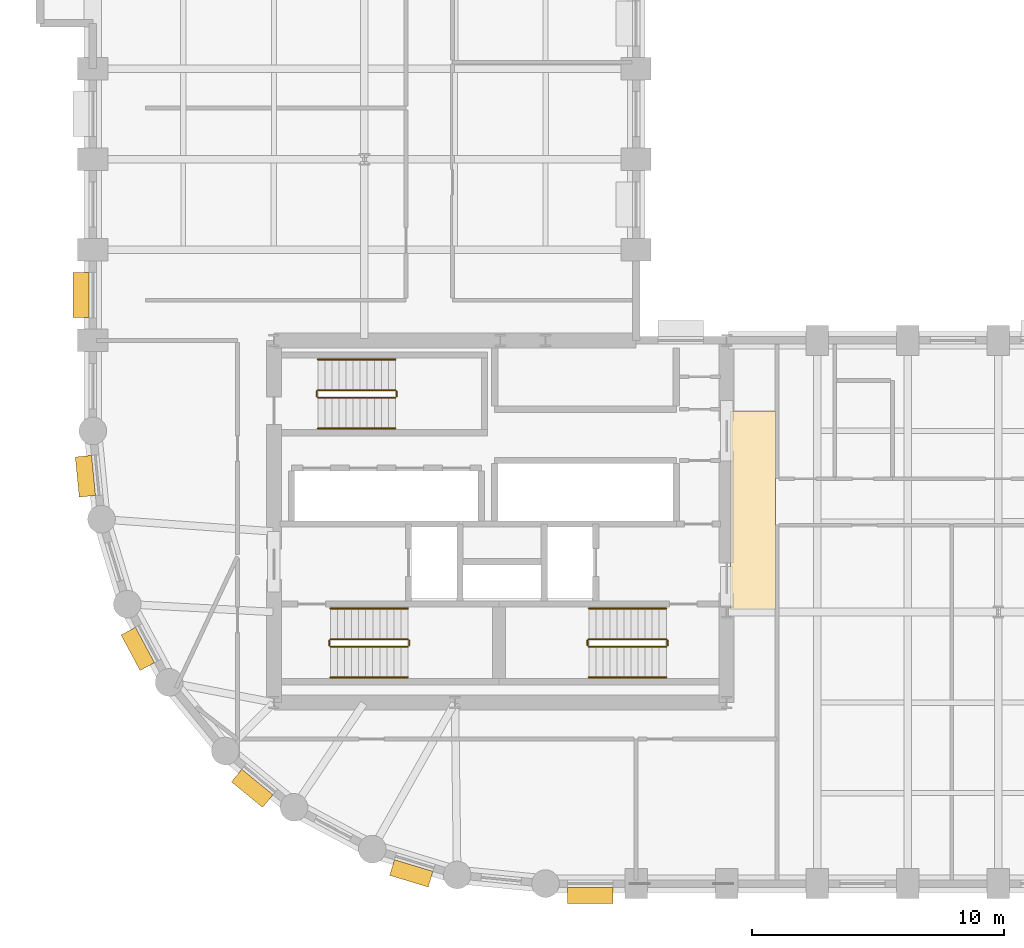
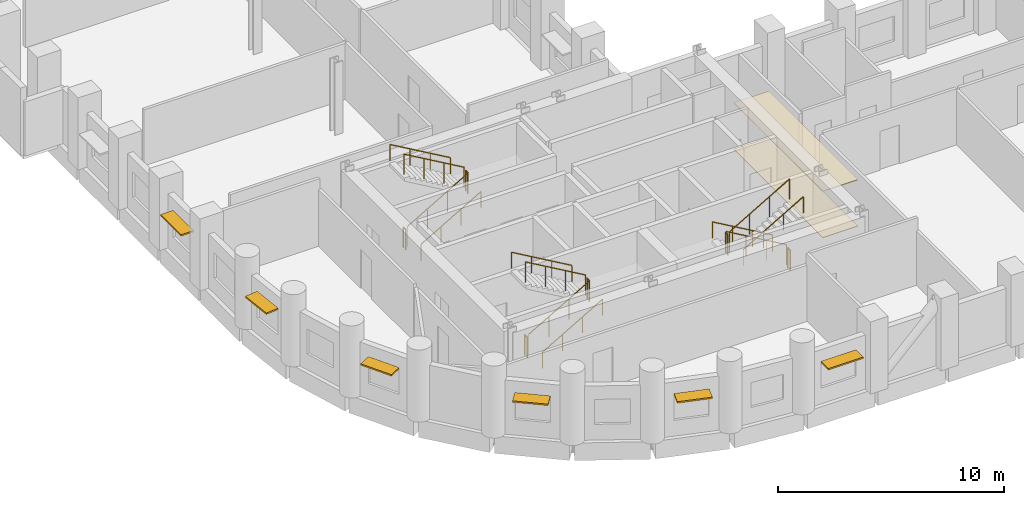
# One storey, part 10 of 11: 18 railings, 6 shading devices, 2 coverings.
"""IFC4 building model written with IfcOpenShell, lengths in metres."""

from ifc_helpers import new_model, si_unit, direction, frame, origin, origin_2d, place, context, subcontext, project, spatial, polyline, rectangle, circle, outline, extrude, material, layer, layer_set, type_object, element, save


model = new_model("IFC4")

# Units and contexts
model_context = context("Model", 3, precision=1e-05, world=origin(), true_north=direction((0.0, 1.0)))
body_context = subcontext(model_context, "Body", "Model", "MODEL_VIEW")
ifc_project = project(units=[si_unit("LENGTHUNIT", "METRE"), si_unit("AREAUNIT", "SQUARE_METRE"), si_unit("VOLUMEUNIT", "CUBIC_METRE"), si_unit("PLANEANGLEUNIT", "RADIAN"), si_unit("MASSUNIT", "GRAM", prefix="KILO")], contexts=[model_context])

# Site, building, storey
site_placement = place(None, origin())
site = spatial("IfcSite", under=ifc_project, at=site_placement, CompositionType="ELEMENT")
building_placement = place(site_placement, origin())
building = spatial("IfcBuilding", under=site, at=building_placement, Name="Solnavia Interchange Tower", CompositionType="ELEMENT")
storey_placement = place(building_placement, frame((0.0, 0.0, 47.39990234375)))
storey = spatial("IfcBuildingStorey", under=building, at=storey_placement, Name="L11", CompositionType="ELEMENT", Elevation=47.39990234375)

# Coverings
ifc_material_1 = material(Name="Perforated Mineral-Fibre & Gypsum Ceiling", Category="gypsum")
ifc_layer_1 = layer(ifc_material_1, 0.0400390625)
ifc_layer_set_1 = layer_set([ifc_layer_1], Name="Perforated Mineral-Fibre & Gypsum Ceiling")
covering_type_1 = type_object("IfcCoveringType", Name="Covering-Ceiling-Acoustic40", PredefinedType="CEILING", material=ifc_layer_set_1)
covering_1_placement = place(storey_placement, frame((0.0, 0.0, 2.5)))
element("IfcCovering", 1, at=covering_1_placement, inside=storey, type_object=covering_type_1, Name="CLG-L11-01 Circulation suspended acoustic ceiling", PredefinedType="CEILING", context=body_context, shape_type="SweptSolid", body=[
    extrude(outline(polyline([(32.550048828125, 14.5), (34.35009765625, 14.5), (34.35009765625, 22.39990234375), (32.550048828125, 22.39990234375), (32.550048828125, 14.5)])), origin(), (0.0, 0.0, 1.0), 0.0400390625),
])
ifc_material_2 = material(Name="Polished Alicante Stone Terrazzo", Category="masonry")
ifc_layer_2 = layer(ifc_material_2, 0.02490234375)
ifc_layer_set_2 = layer_set([ifc_layer_2], Name="Polished Alicante Stone Terrazzo")
covering_type_2 = type_object("IfcCoveringType", Name="Covering-Flooring-Terrazzo25", PredefinedType="FLOORING", material=ifc_layer_set_2)
covering_2_placement = place(storey_placement, origin())
element("IfcCovering", 2, at=covering_2_placement, inside=storey, type_object=covering_type_2, Name="FLR-L11-01 Circulation floor finish", PredefinedType="FLOORING", context=body_context, shape_type="SweptSolid", body=[
    extrude(outline(polyline([(32.550048828125, 14.5), (34.35009765625, 14.5), (34.35009765625, 22.39990234375), (32.550048828125, 22.39990234375), (32.550048828125, 14.5)])), origin(), (0.0, 0.0, 1.0), 0.025146484375),
])

# Railings
ifc_material_3 = material(Name="Painted Steel Balustrade", Category="steel")
railing_type_1 = type_object("IfcRailingType", Name="Railing-StairGuard-1100", PredefinedType="GUARDRAIL", material=ifc_material_3)
railing_1_placement = place(storey_placement, frame((16.64990234375, 13.02001953125, 0.16259765625)))
element("IfcRailing", 3, at=railing_1_placement, inside=storey, type_object=railing_type_1, Name="L11 ST-1 stair guard 1", PredefinedType="GUARDRAIL", context=body_context, shape_type="SweptSolid", body=[
    extrude(circle(Radius=0.02392578125, at=origin_2d()), frame((0.0, 0.0, 1.09619140625), z_axis=(0.864890721111, 0.0, 0.501960198159), x_axis=(0.0, 1.0, 0.0)), (0.0, 0.0, 1.0), 3.561279296875),
    extrude(circle(Radius=0.02099609375, at=origin_2d()), origin(), (0.0, 0.0, 1.0), 1.072021484375),
    extrude(circle(Radius=0.02099609375, at=origin_2d()), frame((1.026611328125, 0.0, 0.595947265625)), (0.0, 0.0, 1.0), 1.072021484375),
    extrude(circle(Radius=0.02099609375, at=origin_2d()), frame((2.053466796875, 0.0, 1.191650390625)), (0.0, 0.0, 1.0), 1.072021484375),
    extrude(circle(Radius=0.02099609375, at=origin_2d()), frame((3.080078125, 0.0, 1.78759765625)), (0.0, 0.0, 1.0), 1.072021484375),
])
railing_2_placement = place(storey_placement, frame((19.780029296875, 13.070068359375, 1.9501953125)))
element("IfcRailing", 4, at=railing_2_placement, inside=storey, type_object=railing_type_1, Name="L11 ST-1 stair guard 2", PredefinedType="GUARDRAIL", context=body_context, shape_type="SweptSolid", body=[
    extrude(circle(Radius=0.02392578125, at=origin_2d()), frame((0.0, 0.0, 1.09619140625), z_axis=(0.0, 1.0, 0.0), x_axis=(-1.0, 0.0, 0.0)), (0.0, 0.0, 1.0), 0.199951171875),
    extrude(circle(Radius=0.02099609375, at=origin_2d()), origin(), (0.0, 0.0, 1.0), 1.072021484375),
    extrude(circle(Radius=0.02099609375, at=origin_2d()), frame((0.0, 0.199951171875, 0.0)), (0.0, 0.0, 1.0), 1.072021484375),
])
railing_3_placement = place(storey_placement, frame((19.72998046875, 13.320068359375, 2.112548828125)))
element("IfcRailing", 5, at=railing_3_placement, inside=storey, type_object=railing_type_1, Name="L11 ST-1 stair guard 3", PredefinedType="GUARDRAIL", context=body_context, shape_type="SweptSolid", body=[
    extrude(circle(Radius=0.02392578125, at=origin_2d()), frame((0.0, 0.0, 1.09619140625), z_axis=(-0.864890721111, 0.0, 0.501960198159), x_axis=(0.0, -1.0, 0.0)), (0.0, 0.0, 1.0), 3.561279296875),
    extrude(circle(Radius=0.02099609375, at=origin_2d()), origin(), (0.0, 0.0, 1.0), 1.072021484375),
    extrude(circle(Radius=0.02099609375, at=origin_2d()), frame((-1.026611328125, 0.0, 0.595947265625)), (0.0, 0.0, 1.0), 1.072021484375),
    extrude(circle(Radius=0.02099609375, at=origin_2d()), frame((-2.053466796875, 0.0, 1.191650390625)), (0.0, 0.0, 1.0), 1.072021484375),
    extrude(circle(Radius=0.02099609375, at=origin_2d()), frame((-3.080078125, 0.0, 1.78759765625)), (0.0, 0.0, 1.0), 1.072021484375),
])
railing_4_placement = place(storey_placement, frame((16.60009765625, 13.070068359375, 0.0)))
element("IfcRailing", 6, at=railing_4_placement, inside=storey, type_object=railing_type_1, Name="L11 ST-1 stair guard 4", PredefinedType="GUARDRAIL", context=body_context, shape_type="SweptSolid", body=[
    extrude(circle(Radius=0.02392578125, at=origin_2d()), frame((0.0, 0.0, 1.09619140625), z_axis=(0.0, 1.0, 0.0), x_axis=(-1.0, 0.0, 0.0)), (0.0, 0.0, 1.0), 0.199951171875),
    extrude(circle(Radius=0.02099609375, at=origin_2d()), origin(), (0.0, 0.0, 1.0), 1.072021484375),
    extrude(circle(Radius=0.02099609375, at=origin_2d()), frame((0.0, 0.199951171875, 0.0)), (0.0, 0.0, 1.0), 1.072021484375),
])
railing_5_placement = place(storey_placement, frame((30.0, 13.320068359375, 0.16259765625)))
element("IfcRailing", 7, at=railing_5_placement, inside=storey, type_object=railing_type_1, Name="L11 ST-2 stair guard 1", PredefinedType="GUARDRAIL", context=body_context, shape_type="SweptSolid", body=[
    extrude(circle(Radius=0.02392578125, at=origin_2d()), frame((0.0, 0.0, 1.09619140625), z_axis=(-0.864890721111, 0.0, 0.501960198159), x_axis=(0.0, -1.0, 0.0)), (0.0, 0.0, 1.0), 3.561279296875),
    extrude(circle(Radius=0.02099609375, at=origin_2d()), origin(), (0.0, 0.0, 1.0), 1.072021484375),
    extrude(circle(Radius=0.02099609375, at=origin_2d()), frame((-1.026611328125, 0.0, 0.595947265625)), (0.0, 0.0, 1.0), 1.072021484375),
    extrude(circle(Radius=0.02099609375, at=origin_2d()), frame((-2.053466796875, 0.0, 1.191650390625)), (0.0, 0.0, 1.0), 1.072021484375),
    extrude(circle(Radius=0.02099609375, at=origin_2d()), frame((-3.080078125, 0.0, 1.78759765625)), (0.0, 0.0, 1.0), 1.072021484375),
])
railing_6_placement = place(storey_placement, frame((26.8701171875, 13.27001953125, 1.9501953125)))
element("IfcRailing", 8, at=railing_6_placement, inside=storey, type_object=railing_type_1, Name="L11 ST-2 stair guard 2", PredefinedType="GUARDRAIL", context=body_context, shape_type="SweptSolid", body=[
    extrude(circle(Radius=0.02392578125, at=origin_2d()), frame((0.0, 0.0, 1.09619140625), z_axis=(0.0, -1.0, 0.0), x_axis=(1.0, 0.0, 0.0)), (0.0, 0.0, 1.0), 0.199951171875),
    extrude(circle(Radius=0.02099609375, at=origin_2d()), origin(), (0.0, 0.0, 1.0), 1.072021484375),
    extrude(circle(Radius=0.02099609375, at=origin_2d()), frame((0.0, -0.199951171875, 0.0)), (0.0, 0.0, 1.0), 1.072021484375),
])
railing_7_placement = place(storey_placement, frame((26.919921875, 13.02001953125, 2.112548828125)))
element("IfcRailing", 9, at=railing_7_placement, inside=storey, type_object=railing_type_1, Name="L11 ST-2 stair guard 3", PredefinedType="GUARDRAIL", context=body_context, shape_type="SweptSolid", body=[
    extrude(circle(Radius=0.02392578125, at=origin_2d()), frame((0.0, 0.0, 1.09619140625), z_axis=(0.864890721111, 0.0, 0.501960198159), x_axis=(0.0, 1.0, 0.0)), (0.0, 0.0, 1.0), 3.561279296875),
    extrude(circle(Radius=0.02099609375, at=origin_2d()), origin(), (0.0, 0.0, 1.0), 1.072021484375),
    extrude(circle(Radius=0.02099609375, at=origin_2d()), frame((1.026611328125, 0.0, 0.595947265625)), (0.0, 0.0, 1.0), 1.072021484375),
    extrude(circle(Radius=0.02099609375, at=origin_2d()), frame((2.053466796875, 0.0, 1.191650390625)), (0.0, 0.0, 1.0), 1.072021484375),
    extrude(circle(Radius=0.02099609375, at=origin_2d()), frame((3.080078125, 0.0, 1.78759765625)), (0.0, 0.0, 1.0), 1.072021484375),
])
railing_8_placement = place(storey_placement, frame((30.050048828125, 13.27001953125, 0.0)))
element("IfcRailing", 10, at=railing_8_placement, inside=storey, type_object=railing_type_1, Name="L11 ST-2 stair guard 4", PredefinedType="GUARDRAIL", context=body_context, shape_type="SweptSolid", body=[
    extrude(circle(Radius=0.02392578125, at=origin_2d()), frame((0.0, 0.0, 1.09619140625), z_axis=(0.0, -1.0, 0.0), x_axis=(1.0, 0.0, 0.0)), (0.0, 0.0, 1.0), 0.199951171875),
    extrude(circle(Radius=0.02099609375, at=origin_2d()), origin(), (0.0, 0.0, 1.0), 1.072021484375),
    extrude(circle(Radius=0.02099609375, at=origin_2d()), frame((0.0, -0.199951171875, 0.0)), (0.0, 0.0, 1.0), 1.072021484375),
])
railing_9_placement = place(storey_placement, frame((16.14990234375, 22.919921875, 0.16259765625)))
element("IfcRailing", 11, at=railing_9_placement, inside=storey, type_object=railing_type_1, Name="L11 ST-3 stair guard 1", PredefinedType="GUARDRAIL", context=body_context, shape_type="SweptSolid", body=[
    extrude(circle(Radius=0.02392578125, at=origin_2d()), frame((0.0, 0.0, 1.09619140625), z_axis=(0.864890721111, 0.0, 0.501960198159), x_axis=(0.0, 1.0, 0.0)), (0.0, 0.0, 1.0), 3.561279296875),
    extrude(circle(Radius=0.02099609375, at=origin_2d()), origin(), (0.0, 0.0, 1.0), 1.072021484375),
    extrude(circle(Radius=0.02099609375, at=origin_2d()), frame((1.026611328125, 0.0, 0.595947265625)), (0.0, 0.0, 1.0), 1.072021484375),
    extrude(circle(Radius=0.02099609375, at=origin_2d()), frame((2.053466796875, 0.0, 1.191650390625)), (0.0, 0.0, 1.0), 1.072021484375),
    extrude(circle(Radius=0.02099609375, at=origin_2d()), frame((3.080078125, 0.0, 1.78759765625)), (0.0, 0.0, 1.0), 1.072021484375),
])
railing_10_placement = place(storey_placement, frame((19.280029296875, 22.969970703125, 1.9501953125)))
element("IfcRailing", 12, at=railing_10_placement, inside=storey, type_object=railing_type_1, Name="L11 ST-3 stair guard 2", PredefinedType="GUARDRAIL", context=body_context, shape_type="SweptSolid", body=[
    extrude(circle(Radius=0.02392578125, at=origin_2d()), frame((0.0, 0.0, 1.09619140625), z_axis=(0.0, 1.0, 0.0), x_axis=(-1.0, 0.0, 0.0)), (0.0, 0.0, 1.0), 0.199951171875),
    extrude(circle(Radius=0.02099609375, at=origin_2d()), origin(), (0.0, 0.0, 1.0), 1.072021484375),
    extrude(circle(Radius=0.02099609375, at=origin_2d()), frame((0.0, 0.199951171875, 0.0)), (0.0, 0.0, 1.0), 1.072021484375),
])
railing_11_placement = place(storey_placement, frame((19.22998046875, 23.219970703125, 2.112548828125)))
element("IfcRailing", 13, at=railing_11_placement, inside=storey, type_object=railing_type_1, Name="L11 ST-3 stair guard 3", PredefinedType="GUARDRAIL", context=body_context, shape_type="SweptSolid", body=[
    extrude(circle(Radius=0.02392578125, at=origin_2d()), frame((0.0, 0.0, 1.09619140625), z_axis=(-0.864890721111, 0.0, 0.501960198159), x_axis=(0.0, -1.0, 0.0)), (0.0, 0.0, 1.0), 3.561279296875),
    extrude(circle(Radius=0.02099609375, at=origin_2d()), origin(), (0.0, 0.0, 1.0), 1.072021484375),
    extrude(circle(Radius=0.02099609375, at=origin_2d()), frame((-1.026611328125, 0.0, 0.595947265625)), (0.0, 0.0, 1.0), 1.072021484375),
    extrude(circle(Radius=0.02099609375, at=origin_2d()), frame((-2.053466796875, 0.0, 1.191650390625)), (0.0, 0.0, 1.0), 1.072021484375),
    extrude(circle(Radius=0.02099609375, at=origin_2d()), frame((-3.080078125, 0.0, 1.78759765625)), (0.0, 0.0, 1.0), 1.072021484375),
])
railing_12_placement = place(storey_placement, frame((16.10009765625, 22.969970703125, 0.0)))
element("IfcRailing", 14, at=railing_12_placement, inside=storey, type_object=railing_type_1, Name="L11 ST-3 stair guard 4", PredefinedType="GUARDRAIL", context=body_context, shape_type="SweptSolid", body=[
    extrude(circle(Radius=0.02392578125, at=origin_2d()), frame((0.0, 0.0, 1.09619140625), z_axis=(0.0, 1.0, 0.0), x_axis=(-1.0, 0.0, 0.0)), (0.0, 0.0, 1.0), 0.199951171875),
    extrude(circle(Radius=0.02099609375, at=origin_2d()), origin(), (0.0, 0.0, 1.0), 1.072021484375),
    extrude(circle(Radius=0.02099609375, at=origin_2d()), frame((0.0, 0.199951171875, 0.0)), (0.0, 0.0, 1.0), 1.072021484375),
])
ifc_material_4 = material(Name="Brushed Stainless Steel", Category="steel")
railing_type_2 = type_object("IfcRailingType", Name="Railing-StairHandrail-900", PredefinedType="HANDRAIL", material=ifc_material_4)
railing_13_placement = place(storey_placement, frame((16.64990234375, 11.800048828125, 0.16259765625)))
element("IfcRailing", 15, at=railing_13_placement, inside=storey, type_object=railing_type_2, Name="L11 ST-1 stair handrail 1", PredefinedType="HANDRAIL", context=body_context, shape_type="SweptSolid", body=[
    extrude(circle(Radius=0.02392578125, at=origin_2d()), frame((0.0, 0.0, 0.8759765625), z_axis=(0.864890721111, 0.0, 0.501960198159), x_axis=(0.0, 1.0, 0.0)), (0.0, 0.0, 1.0), 3.561279296875),
    extrude(circle(Radius=0.02099609375, at=origin_2d()), origin(), (0.0, 0.0, 1.0), 0.851806640625),
    extrude(circle(Radius=0.02099609375, at=origin_2d()), frame((1.026611328125, 0.0, 0.595947265625)), (0.0, 0.0, 1.0), 0.851806640625),
    extrude(circle(Radius=0.02099609375, at=origin_2d()), frame((2.053466796875, 0.0, 1.191650390625)), (0.0, 0.0, 1.0), 0.851806640625),
    extrude(circle(Radius=0.02099609375, at=origin_2d()), frame((3.080078125, 0.0, 1.78759765625)), (0.0, 0.0, 1.0), 0.851806640625),
])
for number, where, name in (
    (16, (19.72998046875, 14.5400390625, 2.112548828125), "L11 ST-1 stair handrail 2"),
    (17, (30.0, 14.5400390625, 0.16259765625), "L11 ST-2 stair handrail 1"),
):
    element("IfcRailing", number, at=place(storey_placement, frame(where)), inside=storey, type_object=railing_type_2, Name=name, PredefinedType="HANDRAIL", context=body_context, shape_type="SweptSolid", body=[
        extrude(circle(Radius=0.02392578125, at=origin_2d()), frame((0.0, 0.0, 0.8759765625), z_axis=(-0.864890721111, 0.0, 0.501960198159), x_axis=(0.0, -1.0, 0.0)), (0.0, 0.0, 1.0), 3.561279296875),
        extrude(circle(Radius=0.02099609375, at=origin_2d()), origin(), (0.0, 0.0, 1.0), 0.851806640625),
        extrude(circle(Radius=0.02099609375, at=origin_2d()), frame((-1.026611328125, 0.0, 0.595947265625)), (0.0, 0.0, 1.0), 0.851806640625),
        extrude(circle(Radius=0.02099609375, at=origin_2d()), frame((-2.053466796875, 0.0, 1.191650390625)), (0.0, 0.0, 1.0), 0.851806640625),
        extrude(circle(Radius=0.02099609375, at=origin_2d()), frame((-3.080078125, 0.0, 1.78759765625)), (0.0, 0.0, 1.0), 0.851806640625),
    ])
for number, where, name in (
    (18, (26.919921875, 11.800048828125, 2.112548828125), "L11 ST-2 stair handrail 2"),
    (19, (16.14990234375, 21.699951171875, 0.16259765625), "L11 ST-3 stair handrail 1"),
):
    element("IfcRailing", number, at=place(storey_placement, frame(where)), inside=storey, type_object=railing_type_2, Name=name, PredefinedType="HANDRAIL", context=body_context, shape_type="SweptSolid", body=[
        extrude(circle(Radius=0.02392578125, at=origin_2d()), frame((0.0, 0.0, 0.8759765625), z_axis=(0.864890721111, 0.0, 0.501960198159), x_axis=(0.0, 1.0, 0.0)), (0.0, 0.0, 1.0), 3.561279296875),
        extrude(circle(Radius=0.02099609375, at=origin_2d()), origin(), (0.0, 0.0, 1.0), 0.851806640625),
        extrude(circle(Radius=0.02099609375, at=origin_2d()), frame((1.026611328125, 0.0, 0.595947265625)), (0.0, 0.0, 1.0), 0.851806640625),
        extrude(circle(Radius=0.02099609375, at=origin_2d()), frame((2.053466796875, 0.0, 1.191650390625)), (0.0, 0.0, 1.0), 0.851806640625),
        extrude(circle(Radius=0.02099609375, at=origin_2d()), frame((3.080078125, 0.0, 1.78759765625)), (0.0, 0.0, 1.0), 0.851806640625),
    ])
railing_14_placement = place(storey_placement, frame((19.22998046875, 24.43994140625, 2.112548828125)))
element("IfcRailing", 20, at=railing_14_placement, inside=storey, type_object=railing_type_2, Name="L11 ST-3 stair handrail 2", PredefinedType="HANDRAIL", context=body_context, shape_type="SweptSolid", body=[
    extrude(circle(Radius=0.02392578125, at=origin_2d()), frame((0.0, 0.0, 0.8759765625), z_axis=(-0.864890721111, 0.0, 0.501960198159), x_axis=(0.0, -1.0, 0.0)), (0.0, 0.0, 1.0), 3.561279296875),
    extrude(circle(Radius=0.02099609375, at=origin_2d()), origin(), (0.0, 0.0, 1.0), 0.851806640625),
    extrude(circle(Radius=0.02099609375, at=origin_2d()), frame((-1.026611328125, 0.0, 0.595947265625)), (0.0, 0.0, 1.0), 0.851806640625),
    extrude(circle(Radius=0.02099609375, at=origin_2d()), frame((-2.053466796875, 0.0, 1.191650390625)), (0.0, 0.0, 1.0), 0.851806640625),
    extrude(circle(Radius=0.02099609375, at=origin_2d()), frame((-3.080078125, 0.0, 1.78759765625)), (0.0, 0.0, 1.0), 0.851806640625),
])

# Shading devices
ifc_material_5 = material(Name="Anodised Aluminium Sunshade", Category="aluminium")
ifc_layer_3 = layer(ifc_material_5, 0.080078125)
ifc_layer_set_3 = layer_set([ifc_layer_3], Name="Anodised Aluminium Sunshade")
shading_device_type = type_object("IfcShadingDeviceType", Name="Sunshade-Band-650", PredefinedType="SHUTTER", material=ifc_layer_set_3)
for number, where, z_axis, x_axis, name in (
    (21, (26.97509765625, 3.1298828125, 2.219970703125), (0.0, 0.0, 1.0), (-1.0, 0.0, 0.0), "SHD-L11-01 Horizontal sunshade band"),
    (22, (6.72998046875, 27.0, 2.219970703125), (0.0, 0.0, 1.0), (0.0, 1.0, 0.0), "SHD-L11-57 Horizontal sunshade band"),
):
    element("IfcShadingDevice", number, at=place(storey_placement, frame(where, z_axis=z_axis, x_axis=x_axis)), inside=storey, type_object=shading_device_type, Name=name, PredefinedType="SHUTTER", context=body_context, shape_type="SweptSolid", body=[
        extrude(rectangle(XDim=1.800048828125, YDim=0.64990234375, at=origin_2d()), origin(), (0.0, 0.0, 1.0), 0.080078125),
    ])
for number, where, z_axis, x_axis, name in (
    (23, (6.9052734375, 19.79833984375, 2.219970703125), (0.0, 0.0, 1.0), (-0.098103986207, 0.995176169274, 0.0), "SHD-L11-59 Horizontal sunshade band"),
    (24, (8.98779296875, 12.93408203125, 2.219970703125), (0.0, 0.0, 1.0), (-0.47147369718, 0.881880123865, 0.0), "SHD-L11-61 Horizontal sunshade band"),
    (25, (13.5380859375, 7.389404296875, 2.219970703125), (0.0, 0.0, 1.0), (-0.773176510644, 0.634190888762, 0.0), "SHD-L11-63 Horizontal sunshade band"),
    (26, (19.863525390625, 4.00830078125, 2.219970703125), (0.0, 0.0, 1.0), (-0.956965664205, 0.290201167351, 0.0), "SHD-L11-65 Horizontal sunshade band"),
):
    element("IfcShadingDevice", number, at=place(storey_placement, frame(where, z_axis=z_axis, x_axis=x_axis)), inside=storey, type_object=shading_device_type, Name=name, PredefinedType="SHUTTER", context=body_context, shape_type="SweptSolid", body=[
        extrude(rectangle(XDim=1.60009765625, YDim=0.64990234375, at=origin_2d()), origin(), (0.0, 0.0, 1.0), 0.080078125),
    ])

save(model, "model.ifc")
